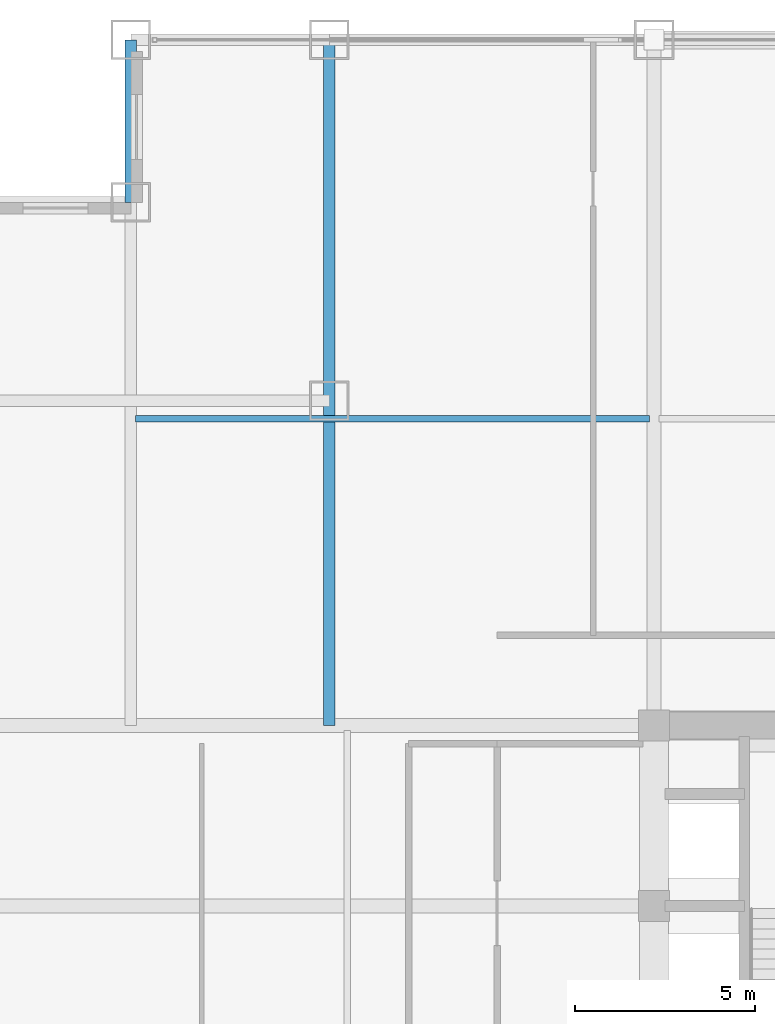
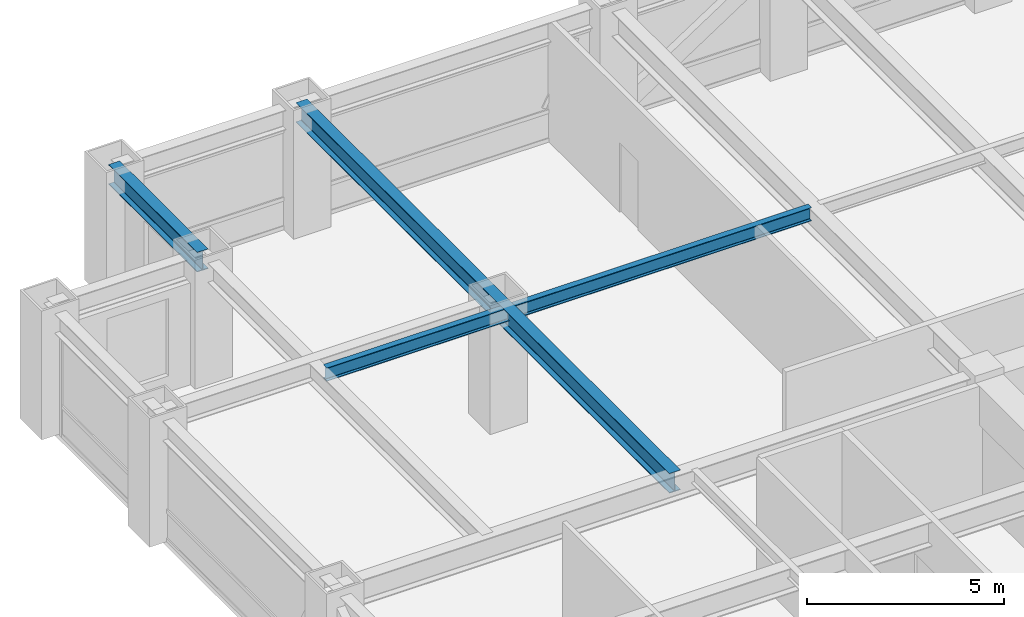
# One storey, part 13 of 24: 3 beams.
"""IFC4 building model written with IfcOpenShell, lengths in metres."""

from ifc_helpers import new_model, si_unit, direction, frame, origin, origin_2d, place, context, subcontext, project, spatial, i_section, extrude, source, transform, mapped, material, material_profile, profile_set, type_object, element, save


model = new_model("IFC4")

# Units and contexts
model_context = context("Model", 3, precision=1e-05, world=origin(), true_north=direction((0.0, 1.0)))
body_context = subcontext(model_context, "Body", "Model", "MODEL_VIEW")
ifc_project = project(units=[si_unit("LENGTHUNIT", "METRE"), si_unit("AREAUNIT", "SQUARE_METRE"), si_unit("VOLUMEUNIT", "CUBIC_METRE"), si_unit("PLANEANGLEUNIT", "RADIAN"), si_unit("MASSUNIT", "GRAM", prefix="KILO")], contexts=[model_context])

# Site, building, storey
site_placement = place(None, origin())
site = spatial("IfcSite", under=ifc_project, at=site_placement, CompositionType="ELEMENT")
building_placement = place(site_placement, origin())
building = spatial("IfcBuilding", under=site, at=building_placement, Name="Khorayat Bourse Tower", CompositionType="ELEMENT")
storey_placement = place(building_placement, frame((0.0, 0.0, 175.10009765625)))
storey = spatial("IfcBuildingStorey", under=building, at=storey_placement, Name="L40", CompositionType="ELEMENT", Elevation=175.10009765625)

# Beams
ifc_material = material(Name="Steel ASTM A992 Grade 50", Category="steel")
ifc_material_profile_1 = material_profile(ifc_material, i_section(OverallWidth=0.324951171875, OverallDepth=0.615966796875, WebThickness=0.013916015625, FlangeThickness=0.021484375, FilletRadius=0.01611328125, at=origin_2d()), Name="W610X174")
ifc_profile_set_1 = profile_set([ifc_material_profile_1], Name="Steel ASTM A992 Grade 50")
beam_type_1 = type_object("IfcBeamType", Name="BM-GIRD-610", PredefinedType="BEAM", material=ifc_profile_set_1)
shared_shape_1 = source(origin(), body_context, "Body", "SweptSolid", [
    extrude(i_section(OverallWidth=0.324951171875, OverallDepth=0.615966796875, WebThickness=0.013916015625, FlangeThickness=0.021484375, FilletRadius=0.01611328125, at=origin_2d()), origin(), (0.0, 0.0, 1.0), 19.0),
])
beam_1_placement = place(storey_placement, frame((-20.0, 11.0, 3.471923828125), z_axis=(0.0, 1.0, 0.0), x_axis=(-1.0, 0.0, 0.0)))
element("IfcBeam", 1, at=beam_1_placement, inside=storey, type_object=beam_type_1, Name="L40 BM-GIRD-610 BM-L40-CNRY-085", PredefinedType="BEAM", context=body_context, shape_type="MappedRepresentation", body=[
    mapped(shared_shape_1, transform((0.0, 0.0, 0.0), scale=1.0)),
])
ifc_material_profile_2 = material_profile(ifc_material, i_section(OverallWidth=0.180908203125, OverallDepth=0.4169921875, WebThickness=0.010986328125, FlangeThickness=0.018310546875, FilletRadius=0.011962890625, at=origin_2d()), Name="W410X85")
ifc_profile_set_2 = profile_set([ifc_material_profile_2], Name="Steel ASTM A992 Grade 50")
beam_type_2 = type_object("IfcBeamType", Name="BM-JOIST-410", PredefinedType="JOIST", material=ifc_profile_set_2)
shared_shape_2 = source(origin(), body_context, "Body", "SweptSolid", [
    extrude(i_section(OverallWidth=0.180908203125, OverallDepth=0.4169921875, WebThickness=0.010986328125, FlangeThickness=0.018310546875, FilletRadius=0.011962890625, at=origin_2d()), origin(), (0.0, 0.0, 1.0), 14.240234375),
])
beam_2_placement = place(storey_placement, frame((-25.3701171875, 19.5, 3.5712890625), z_axis=(1.0, 0.0, 0.0), x_axis=(0.0, 1.0, 0.0)))
element("IfcBeam", 2, at=beam_2_placement, inside=storey, type_object=beam_type_2, Name="L40 BM-JOIST-410 BM-L40-JSTX-099", PredefinedType="JOIST", context=body_context, shape_type="MappedRepresentation", body=[
    mapped(shared_shape_2, transform((0.0, 0.0, 0.0), scale=1.0)),
])
ifc_material_profile_3 = material_profile(ifc_material, i_section(OverallWidth=0.324951171875, OverallDepth=0.615966796875, WebThickness=0.013916015625, FlangeThickness=0.021484375, FilletRadius=0.01611328125, at=origin_2d()), Name="W610X174")
ifc_profile_set_3 = profile_set([ifc_material_profile_3], Name="Steel ASTM A992 Grade 50")
beam_type_3 = type_object("IfcBeamType", Name="BM-SPAN-610", PredefinedType="SPANDREL", material=ifc_profile_set_3)
shared_shape_3 = source(origin(), body_context, "Body", "SweptSolid", [
    extrude(i_section(OverallWidth=0.324951171875, OverallDepth=0.615966796875, WebThickness=0.013916015625, FlangeThickness=0.021484375, FilletRadius=0.01611328125, at=origin_2d()), origin(), (0.0, 0.0, 1.0), 4.5),
])
beam_3_placement = place(storey_placement, frame((-25.5, 25.5, 3.471923828125), z_axis=(0.0, 1.0, 0.0), x_axis=(-1.0, 0.0, 0.0)))
element("IfcBeam", 3, at=beam_3_placement, inside=storey, type_object=beam_type_3, Name="L40 BM-SPAN-610 BM-L40-SPN-052", PredefinedType="SPANDREL", context=body_context, shape_type="MappedRepresentation", body=[
    mapped(shared_shape_3, transform((0.0, 0.0, 0.0), scale=1.0)),
])

save(model, "model.ifc")
